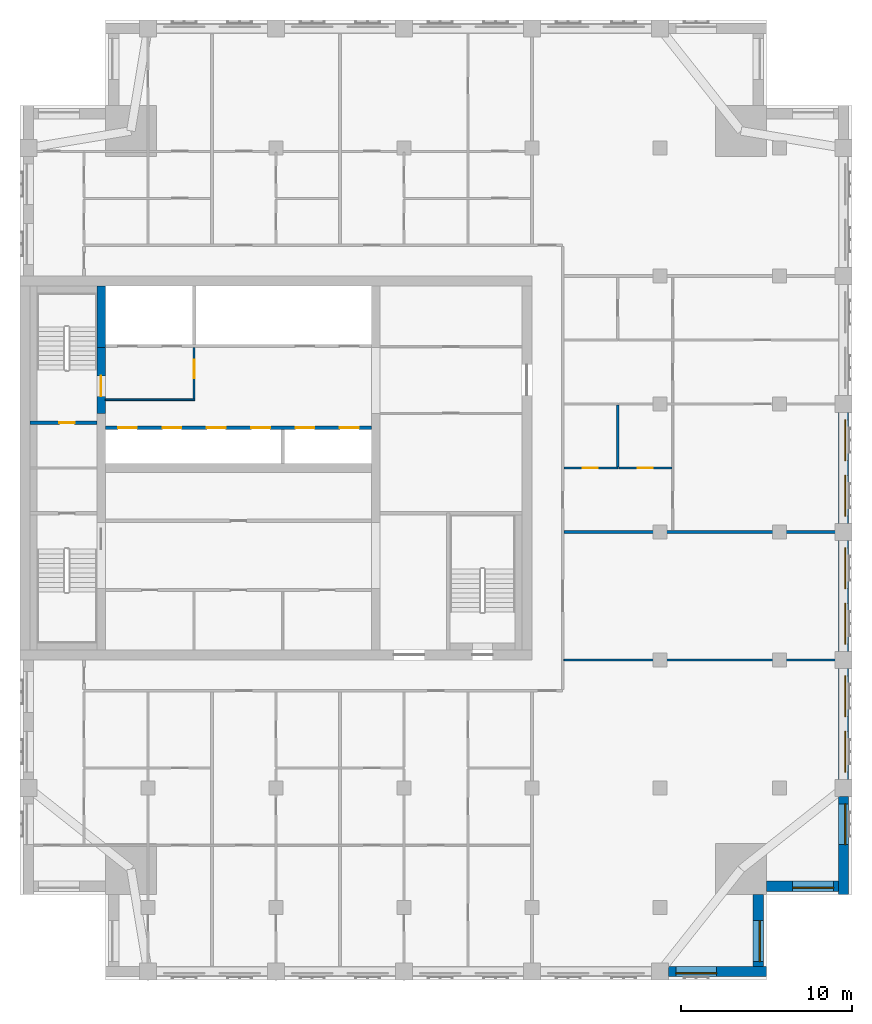
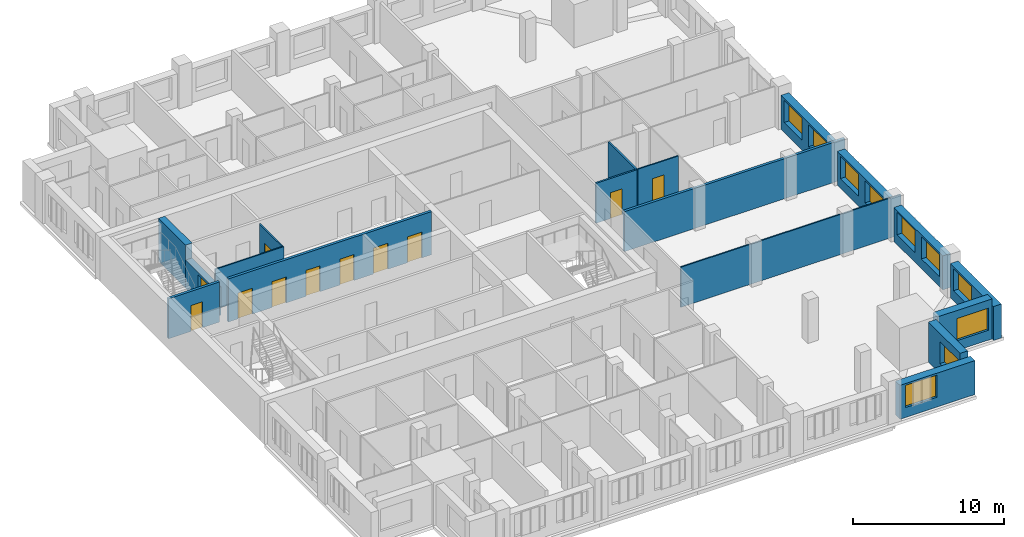
# One storey, part 5 of 10: 18 walls, 11 doors, 10 windows, 21 openings.
"""IFC4 building model written with IfcOpenShell, lengths in metres."""

from ifc_helpers import new_model, si_unit, direction, frame, frame_2d, origin, place, context, subcontext, project, spatial, rectangle, extrude, material, layer, layer_set, type_object, element, fill, save


model = new_model("IFC4")

# Units and contexts
model_context = context("Model", 3, precision=1e-05, world=origin(), true_north=direction((0.0, 1.0)))
body_context = subcontext(model_context, "Body", "Model", "MODEL_VIEW")
ifc_project = project(units=[si_unit("LENGTHUNIT", "METRE"), si_unit("AREAUNIT", "SQUARE_METRE"), si_unit("VOLUMEUNIT", "CUBIC_METRE"), si_unit("PLANEANGLEUNIT", "RADIAN"), si_unit("MASSUNIT", "GRAM", prefix="KILO")], contexts=[model_context])

# Site, building, storey
site_placement = place(None, origin())
site = spatial("IfcSite", under=ifc_project, at=site_placement, CompositionType="ELEMENT")
building_placement = place(site_placement, origin())
building = spatial("IfcBuilding", under=site, at=building_placement, Name="Tamorin Gate", CompositionType="ELEMENT")
storey_placement = place(building_placement, frame((0.0, 0.0, 237.199951171875)))
storey = spatial("IfcBuildingStorey", under=building, at=storey_placement, Name="L59", CompositionType="ELEMENT", Elevation=237.199951171875)

# Wall, opening, window
ifc_material_1 = material(Name="Precast concrete C40/50", Category="concrete")
ifc_layer_1 = layer(ifc_material_1, 0.60009765625)
ifc_layer_set_1 = layer_set([ifc_layer_1], Name="Precast concrete C40/50")
wall_type_1 = type_object("IfcWallType", Name="Board-marked concrete facade panel 600", PredefinedType="SOLIDWALL", material=ifc_layer_set_1)
wall_1_placement = place(storey_placement, frame((68.0, 41.75, 0.0), z_axis=(0.0, 0.0, 1.0), x_axis=(1.0, 0.0, 0.0)))
wall_1 = element("IfcWall", 1, at=wall_1_placement, inside=storey, type_object=wall_type_1, Name="Facade panel", PredefinedType="SOLIDWALL", context=body_context, shape_type="SweptSolid", body=[
    extrude(rectangle(XDim=5.75, YDim=0.60009765625, at=frame_2d((2.875, 0.0))), origin(), (0.0, 0.0, 1.0), 2.75),
])
opening_1_placement = place(wall_1_placement, frame((0.425048828125, 0.0, 0.800048828125)))
opening_1 = element("IfcOpeningElement", 2, at=opening_1_placement, cuts=wall_1, Name="Opening WN1", PredefinedType="OPENING", context=body_context, shape_type="SweptSolid", body=[
    extrude(rectangle(XDim=2.39990234375, YDim=1.800048828125, at=frame_2d((1.199951171875, 0.89990234375))), frame((0.0, 0.31005859375, 0.0), z_axis=(0.0, -1.0, 0.0), x_axis=(1.0, 0.0, 0.0)), (0.0, 0.0, 1.0), 0.6201171875),
])
ifc_material_2 = material(Name="Clear glass in aluminium frame", Category="aluminium")
window_type = type_object("IfcWindowType", Name="Deep-set window 2400x1800", PartitioningType="SINGLE_PANEL", PredefinedType="WINDOW", material=ifc_material_2)
window_1_placement = place(opening_1_placement, origin())
window_1 = element("IfcWindow", 3, at=window_1_placement, inside=storey, type_object=window_type, Name="Deep-set window", OverallHeight=1.800048828125, OverallWidth=2.39990234375, PartitioningType="SINGLE_PANEL", PredefinedType="WINDOW", context=body_context, shape_type="SweptSolid", body=[
    extrude(rectangle(XDim=2.39990234375, YDim=1.800048828125, at=frame_2d((1.199951171875, 0.89990234375))), frame((0.0, -0.070068359375, 0.0), z_axis=(0.0, -1.0, 0.0), x_axis=(1.0, 0.0, 0.0)), (0.0, 0.0, 1.0), 0.06005859375),
])
fill(opening_1, window_1)

wall_2_placement = place(storey_placement, frame((73.25, 42.050048828125, 0.0), z_axis=(0.0, 0.0, 1.0), x_axis=(0.0, 1.0, 0.0)))
wall_2 = element("IfcWall", 4, at=wall_2_placement, inside=storey, type_object=wall_type_1, Name="Facade panel", PredefinedType="SOLIDWALL", context=body_context, shape_type="SweptSolid", body=[
    extrude(rectangle(XDim=4.199951171875, YDim=0.60009765625, at=frame_2d((2.10009765625, 0.0))), origin(), (0.0, 0.0, 1.0), 3.25),
])
opening_2_placement = place(wall_2_placement, frame((0.27490234375, 0.0, 0.800048828125)))
opening_2 = element("IfcOpeningElement", 5, at=opening_2_placement, cuts=wall_2, Name="Opening WN1", PredefinedType="OPENING", context=body_context, shape_type="SweptSolid", body=[
    extrude(rectangle(XDim=2.39990234375, YDim=1.800048828125, at=frame_2d((1.199951171875, 0.89990234375))), frame((0.0, 0.31005859375, 0.0), z_axis=(0.0, -1.0, 0.0), x_axis=(1.0, 0.0, 0.0)), (0.0, 0.0, 1.0), 0.6201171875),
])
window_2_placement = place(opening_2_placement, origin())
window_2 = element("IfcWindow", 6, at=window_2_placement, inside=storey, type_object=window_type, Name="Deep-set window", OverallHeight=1.800048828125, OverallWidth=2.39990234375, PartitioningType="SINGLE_PANEL", PredefinedType="WINDOW", context=body_context, shape_type="SweptSolid", body=[
    extrude(rectangle(XDim=2.39990234375, YDim=1.800048828125, at=frame_2d((1.199951171875, 0.89990234375))), frame((0.0, -0.070068359375, 0.0), z_axis=(0.0, -1.0, 0.0), x_axis=(1.0, 0.0, 0.0)), (0.0, 0.0, 1.0), 0.06005859375),
])
fill(opening_2, window_2)

wall_3_placement = place(storey_placement, frame((73.75, 46.75, 0.0), z_axis=(0.0, 0.0, 1.0), x_axis=(1.0, 0.0, 0.0)))
wall_3 = element("IfcWall", 7, at=wall_3_placement, inside=storey, type_object=wall_type_1, Name="Facade panel", PredefinedType="SOLIDWALL", context=body_context, shape_type="SweptSolid", body=[
    extrude(rectangle(XDim=4.199951171875, YDim=0.60009765625, at=frame_2d((2.10009765625, 0.0))), origin(), (0.0, 0.0, 1.0), 3.25),
])
opening_3_placement = place(wall_3_placement, frame((1.52490234375, 0.0, 0.800048828125)))
opening_3 = element("IfcOpeningElement", 8, at=opening_3_placement, cuts=wall_3, Name="Opening WN1", PredefinedType="OPENING", context=body_context, shape_type="SweptSolid", body=[
    extrude(rectangle(XDim=2.39990234375, YDim=1.800048828125, at=frame_2d((1.199951171875, 0.89990234375))), frame((0.0, 0.31005859375, 0.0), z_axis=(0.0, -1.0, 0.0), x_axis=(1.0, 0.0, 0.0)), (0.0, 0.0, 1.0), 0.6201171875),
])
window_3_placement = place(opening_3_placement, origin())
window_3 = element("IfcWindow", 9, at=window_3_placement, inside=storey, type_object=window_type, Name="Deep-set window", OverallHeight=1.800048828125, OverallWidth=2.39990234375, PartitioningType="SINGLE_PANEL", PredefinedType="WINDOW", context=body_context, shape_type="SweptSolid", body=[
    extrude(rectangle(XDim=2.39990234375, YDim=1.800048828125, at=frame_2d((1.199951171875, 0.89990234375))), frame((0.0, -0.070068359375, 0.0), z_axis=(0.0, -1.0, 0.0), x_axis=(1.0, 0.0, 0.0)), (0.0, 0.0, 1.0), 0.06005859375),
])
fill(opening_3, window_3)

wall_4_placement = place(storey_placement, frame((78.25, 46.25, 0.0), z_axis=(0.0, 0.0, 1.0), x_axis=(0.0, 1.0, 0.0)))
wall_4 = element("IfcWall", 10, at=wall_4_placement, inside=storey, type_object=wall_type_1, Name="Facade panel", PredefinedType="SOLIDWALL", context=body_context, shape_type="SweptSolid", body=[
    extrude(rectangle(XDim=5.75, YDim=0.60009765625, at=frame_2d((2.875, 0.0))), origin(), (0.0, 0.0, 1.0), 2.75),
])
opening_4_placement = place(wall_4_placement, frame((2.925048828125, 0.0, 0.800048828125)))
opening_4 = element("IfcOpeningElement", 11, at=opening_4_placement, cuts=wall_4, Name="Opening WN1", PredefinedType="OPENING", context=body_context, shape_type="SweptSolid", body=[
    extrude(rectangle(XDim=2.39990234375, YDim=1.800048828125, at=frame_2d((1.199951171875, 0.89990234375))), frame((0.0, 0.31005859375, 0.0), z_axis=(0.0, -1.0, 0.0), x_axis=(1.0, 0.0, 0.0)), (0.0, 0.0, 1.0), 0.6201171875),
])
window_4_placement = place(opening_4_placement, origin())
window_4 = element("IfcWindow", 12, at=window_4_placement, inside=storey, type_object=window_type, Name="Deep-set window", OverallHeight=1.800048828125, OverallWidth=2.39990234375, PartitioningType="SINGLE_PANEL", PredefinedType="WINDOW", context=body_context, shape_type="SweptSolid", body=[
    extrude(rectangle(XDim=2.39990234375, YDim=1.800048828125, at=frame_2d((1.199951171875, 0.89990234375))), frame((0.0, -0.070068359375, 0.0), z_axis=(0.0, -1.0, 0.0), x_axis=(1.0, 0.0, 0.0)), (0.0, 0.0, 1.0), 0.06005859375),
])
fill(opening_4, window_4)

# Wall, openings, windows
wall_5_placement = place(storey_placement, frame((78.25, 53.0, 0.0), z_axis=(0.0, 0.0, 1.0), x_axis=(0.0, 1.0, 0.0)))
wall_5 = element("IfcWall", 13, at=wall_5_placement, inside=storey, type_object=wall_type_1, Name="Facade panel", PredefinedType="SOLIDWALL", context=body_context, shape_type="SweptSolid", body=[
    extrude(rectangle(XDim=6.5, YDim=0.60009765625, at=frame_2d((3.25, 0.0))), origin(), (0.0, 0.0, 1.0), 2.75),
])
opening_5_placement = place(wall_5_placement, frame((0.425048828125, 0.0, 0.800048828125)))
opening_5 = element("IfcOpeningElement", 14, at=opening_5_placement, cuts=wall_5, Name="Opening WN1", PredefinedType="OPENING", context=body_context, shape_type="SweptSolid", body=[
    extrude(rectangle(XDim=2.39990234375, YDim=1.800048828125, at=frame_2d((1.199951171875, 0.89990234375))), frame((0.0, 0.31005859375, 0.0), z_axis=(0.0, -1.0, 0.0), x_axis=(1.0, 0.0, 0.0)), (0.0, 0.0, 1.0), 0.6201171875),
])
opening_6_placement = place(wall_5_placement, frame((3.675048828125, 0.0, 0.800048828125)))
opening_6 = element("IfcOpeningElement", 15, at=opening_6_placement, cuts=wall_5, Name="Opening WN1", PredefinedType="OPENING", context=body_context, shape_type="SweptSolid", body=[
    extrude(rectangle(XDim=2.39990234375, YDim=1.800048828125, at=frame_2d((1.199951171875, 0.89990234375))), frame((0.0, 0.31005859375, 0.0), z_axis=(0.0, -1.0, 0.0), x_axis=(1.0, 0.0, 0.0)), (0.0, 0.0, 1.0), 0.6201171875),
])
window_5_placement = place(opening_5_placement, origin())
window_5 = element("IfcWindow", 16, at=window_5_placement, inside=storey, type_object=window_type, Name="Deep-set window", OverallHeight=1.800048828125, OverallWidth=2.39990234375, PartitioningType="SINGLE_PANEL", PredefinedType="WINDOW", context=body_context, shape_type="SweptSolid", body=[
    extrude(rectangle(XDim=2.39990234375, YDim=1.800048828125, at=frame_2d((1.199951171875, 0.89990234375))), frame((0.0, -0.070068359375, 0.0), z_axis=(0.0, -1.0, 0.0), x_axis=(1.0, 0.0, 0.0)), (0.0, 0.0, 1.0), 0.06005859375),
])
fill(opening_5, window_5)
window_6_placement = place(opening_6_placement, origin())
window_6 = element("IfcWindow", 17, at=window_6_placement, inside=storey, type_object=window_type, Name="Deep-set window", OverallHeight=1.800048828125, OverallWidth=2.39990234375, PartitioningType="SINGLE_PANEL", PredefinedType="WINDOW", context=body_context, shape_type="SweptSolid", body=[
    extrude(rectangle(XDim=2.39990234375, YDim=1.800048828125, at=frame_2d((1.199951171875, 0.89990234375))), frame((0.0, -0.070068359375, 0.0), z_axis=(0.0, -1.0, 0.0), x_axis=(1.0, 0.0, 0.0)), (0.0, 0.0, 1.0), 0.06005859375),
])
fill(opening_6, window_6)

wall_6_placement = place(storey_placement, frame((78.25, 60.5, 0.0), z_axis=(0.0, 0.0, 1.0), x_axis=(0.0, 1.0, 0.0)))
wall_6 = element("IfcWall", 18, at=wall_6_placement, inside=storey, type_object=wall_type_1, Name="Facade panel", PredefinedType="SOLIDWALL", context=body_context, shape_type="SweptSolid", body=[
    extrude(rectangle(XDim=6.5, YDim=0.60009765625, at=frame_2d((3.25, 0.0))), origin(), (0.0, 0.0, 1.0), 2.75),
])
opening_7_placement = place(wall_6_placement, frame((0.425048828125, 0.0, 0.800048828125)))
opening_7 = element("IfcOpeningElement", 19, at=opening_7_placement, cuts=wall_6, Name="Opening WN1", PredefinedType="OPENING", context=body_context, shape_type="SweptSolid", body=[
    extrude(rectangle(XDim=2.39990234375, YDim=1.800048828125, at=frame_2d((1.199951171875, 0.89990234375))), frame((0.0, 0.31005859375, 0.0), z_axis=(0.0, -1.0, 0.0), x_axis=(1.0, 0.0, 0.0)), (0.0, 0.0, 1.0), 0.6201171875),
])
opening_8_placement = place(wall_6_placement, frame((3.675048828125, 0.0, 0.800048828125)))
opening_8 = element("IfcOpeningElement", 20, at=opening_8_placement, cuts=wall_6, Name="Opening WN1", PredefinedType="OPENING", context=body_context, shape_type="SweptSolid", body=[
    extrude(rectangle(XDim=2.39990234375, YDim=1.800048828125, at=frame_2d((1.199951171875, 0.89990234375))), frame((0.0, 0.31005859375, 0.0), z_axis=(0.0, -1.0, 0.0), x_axis=(1.0, 0.0, 0.0)), (0.0, 0.0, 1.0), 0.6201171875),
])
window_7_placement = place(opening_7_placement, origin())
window_7 = element("IfcWindow", 21, at=window_7_placement, inside=storey, type_object=window_type, Name="Deep-set window", OverallHeight=1.800048828125, OverallWidth=2.39990234375, PartitioningType="SINGLE_PANEL", PredefinedType="WINDOW", context=body_context, shape_type="SweptSolid", body=[
    extrude(rectangle(XDim=2.39990234375, YDim=1.800048828125, at=frame_2d((1.199951171875, 0.89990234375))), frame((0.0, -0.070068359375, 0.0), z_axis=(0.0, -1.0, 0.0), x_axis=(1.0, 0.0, 0.0)), (0.0, 0.0, 1.0), 0.06005859375),
])
fill(opening_7, window_7)
window_8_placement = place(opening_8_placement, origin())
window_8 = element("IfcWindow", 22, at=window_8_placement, inside=storey, type_object=window_type, Name="Deep-set window", OverallHeight=1.800048828125, OverallWidth=2.39990234375, PartitioningType="SINGLE_PANEL", PredefinedType="WINDOW", context=body_context, shape_type="SweptSolid", body=[
    extrude(rectangle(XDim=2.39990234375, YDim=1.800048828125, at=frame_2d((1.199951171875, 0.89990234375))), frame((0.0, -0.070068359375, 0.0), z_axis=(0.0, -1.0, 0.0), x_axis=(1.0, 0.0, 0.0)), (0.0, 0.0, 1.0), 0.06005859375),
])
fill(opening_8, window_8)

wall_7_placement = place(storey_placement, frame((78.25, 68.0, 0.0), z_axis=(0.0, 0.0, 1.0), x_axis=(0.0, 1.0, 0.0)))
wall_7 = element("IfcWall", 23, at=wall_7_placement, inside=storey, type_object=wall_type_1, Name="Facade panel", PredefinedType="SOLIDWALL", context=body_context, shape_type="SweptSolid", body=[
    extrude(rectangle(XDim=6.5, YDim=0.60009765625, at=frame_2d((3.25, 0.0))), origin(), (0.0, 0.0, 1.0), 2.75),
])
opening_9_placement = place(wall_7_placement, frame((0.425048828125, 0.0, 0.800048828125)))
opening_9 = element("IfcOpeningElement", 24, at=opening_9_placement, cuts=wall_7, Name="Opening WN1", PredefinedType="OPENING", context=body_context, shape_type="SweptSolid", body=[
    extrude(rectangle(XDim=2.39990234375, YDim=1.800048828125, at=frame_2d((1.199951171875, 0.89990234375))), frame((0.0, 0.31005859375, 0.0), z_axis=(0.0, -1.0, 0.0), x_axis=(1.0, 0.0, 0.0)), (0.0, 0.0, 1.0), 0.6201171875),
])
opening_10_placement = place(wall_7_placement, frame((3.675048828125, 0.0, 0.800048828125)))
opening_10 = element("IfcOpeningElement", 25, at=opening_10_placement, cuts=wall_7, Name="Opening WN1", PredefinedType="OPENING", context=body_context, shape_type="SweptSolid", body=[
    extrude(rectangle(XDim=2.39990234375, YDim=1.800048828125, at=frame_2d((1.199951171875, 0.89990234375))), frame((0.0, 0.31005859375, 0.0), z_axis=(0.0, -1.0, 0.0), x_axis=(1.0, 0.0, 0.0)), (0.0, 0.0, 1.0), 0.6201171875),
])
window_9_placement = place(opening_9_placement, origin())
window_9 = element("IfcWindow", 26, at=window_9_placement, inside=storey, type_object=window_type, Name="Deep-set window", OverallHeight=1.800048828125, OverallWidth=2.39990234375, PartitioningType="SINGLE_PANEL", PredefinedType="WINDOW", context=body_context, shape_type="SweptSolid", body=[
    extrude(rectangle(XDim=2.39990234375, YDim=1.800048828125, at=frame_2d((1.199951171875, 0.89990234375))), frame((0.0, -0.070068359375, 0.0), z_axis=(0.0, -1.0, 0.0), x_axis=(1.0, 0.0, 0.0)), (0.0, 0.0, 1.0), 0.06005859375),
])
fill(opening_9, window_9)
window_10_placement = place(opening_10_placement, origin())
window_10 = element("IfcWindow", 27, at=window_10_placement, inside=storey, type_object=window_type, Name="Deep-set window", OverallHeight=1.800048828125, OverallWidth=2.39990234375, PartitioningType="SINGLE_PANEL", PredefinedType="WINDOW", context=body_context, shape_type="SweptSolid", body=[
    extrude(rectangle(XDim=2.39990234375, YDim=1.800048828125, at=frame_2d((1.199951171875, 0.89990234375))), frame((0.0, -0.070068359375, 0.0), z_axis=(0.0, -1.0, 0.0), x_axis=(1.0, 0.0, 0.0)), (0.0, 0.0, 1.0), 0.06005859375),
])
fill(opening_10, window_10)

# Wall
ifc_material_3 = material(Name="Gypsum board partition")
ifc_layer_2 = layer(ifc_material_3, 0.199951171875)
ifc_layer_set_2 = layer_set([ifc_layer_2], Name="Demising wall 200")
wall_type_2 = type_object("IfcWallType", Name="Demising wall 200", PredefinedType="PARTITIONING", material=ifc_layer_set_2)
wall_8_placement = place(storey_placement, frame((61.875, 67.5, 0.0), z_axis=(0.0, 0.0, 1.0), x_axis=(1.0, 0.0, 0.0)))
element("IfcWall", 28, at=wall_8_placement, inside=storey, type_object=wall_type_2, Name="Demising wall 200", PredefinedType="PARTITIONING", context=body_context, shape_type="SweptSolid", body=[
    extrude(rectangle(XDim=16.875, YDim=0.199951171875, at=frame_2d((8.4375, 0.0))), origin(), (0.0, 0.0, 1.0), 3.25),
])

# Wall, openings, doors
ifc_material_4 = material(Name="Concrete C32/40", Category="concrete")
ifc_layer_3 = layer(ifc_material_4, 0.199951171875)
ifc_layer_set_3 = layer_set([ifc_layer_3], Name="Lift lobby face wall 200 EI 120")
wall_type_3 = type_object("IfcWallType", Name="Lift lobby face wall 200 EI 120", PredefinedType="SOLIDWALL", material=ifc_layer_set_3)
wall_9_placement = place(storey_placement, frame((35.0, 73.60009765625, 0.0), z_axis=(0.0, 0.0, 1.0), x_axis=(1.0, 0.0, 0.0)))
wall_9 = element("IfcWall", 29, at=wall_9_placement, inside=storey, type_object=wall_type_3, Name="Lift lobby face wall", PredefinedType="SOLIDWALL", context=body_context, shape_type="SweptSolid", body=[
    extrude(rectangle(XDim=15.60009765625, YDim=0.199951171875, at=frame_2d((7.800048828125, 0.0))), origin(), (0.0, 0.0, 1.0), 3.5),
])
opening_11_placement = place(wall_9_placement, frame((0.75, 0.0, 0.0)))
opening_11 = element("IfcOpeningElement", 30, at=opening_11_placement, cuts=wall_9, Name="Opening LD11", PredefinedType="OPENING", context=body_context, shape_type="SweptSolid", body=[
    extrude(rectangle(XDim=1.10009765625, YDim=2.10009765625, at=frame_2d((0.550048828125, 1.050048828125))), frame((0.0, 0.10986328125, 0.0), z_axis=(0.0, -1.0, 0.0), x_axis=(1.0, 0.0, 0.0)), (0.0, 0.0, 1.0), 0.219970703125),
])
opening_12_placement = place(wall_9_placement, frame((3.35009765625, 0.0, 0.0)))
opening_12 = element("IfcOpeningElement", 31, at=opening_12_placement, cuts=wall_9, Name="Opening LD12", PredefinedType="OPENING", context=body_context, shape_type="SweptSolid", body=[
    extrude(rectangle(XDim=1.10009765625, YDim=2.10009765625, at=frame_2d((0.550048828125, 1.050048828125))), frame((0.0, 0.10986328125, 0.0), z_axis=(0.0, -1.0, 0.0), x_axis=(1.0, 0.0, 0.0)), (0.0, 0.0, 1.0), 0.219970703125),
])
opening_13_placement = place(wall_9_placement, frame((5.949951171875, 0.0, 0.0)))
opening_13 = element("IfcOpeningElement", 32, at=opening_13_placement, cuts=wall_9, Name="Opening LD13", PredefinedType="OPENING", context=body_context, shape_type="SweptSolid", body=[
    extrude(rectangle(XDim=1.10009765625, YDim=2.10009765625, at=frame_2d((0.550048828125, 1.050048828125))), frame((0.0, 0.10986328125, 0.0), z_axis=(0.0, -1.0, 0.0), x_axis=(1.0, 0.0, 0.0)), (0.0, 0.0, 1.0), 0.219970703125),
])
opening_14_placement = place(wall_9_placement, frame((8.550048828125, 0.0, 0.0)))
opening_14 = element("IfcOpeningElement", 33, at=opening_14_placement, cuts=wall_9, Name="Opening LD14", PredefinedType="OPENING", context=body_context, shape_type="SweptSolid", body=[
    extrude(rectangle(XDim=1.10009765625, YDim=2.10009765625, at=frame_2d((0.550048828125, 1.050048828125))), frame((0.0, 0.10986328125, 0.0), z_axis=(0.0, -1.0, 0.0), x_axis=(1.0, 0.0, 0.0)), (0.0, 0.0, 1.0), 0.219970703125),
])
opening_15_placement = place(wall_9_placement, frame((11.14990234375, 0.0, 0.0)))
opening_15 = element("IfcOpeningElement", 34, at=opening_15_placement, cuts=wall_9, Name="Opening LD15", PredefinedType="OPENING", context=body_context, shape_type="SweptSolid", body=[
    extrude(rectangle(XDim=1.10009765625, YDim=2.10009765625, at=frame_2d((0.550048828125, 1.050048828125))), frame((0.0, 0.10986328125, 0.0), z_axis=(0.0, -1.0, 0.0), x_axis=(1.0, 0.0, 0.0)), (0.0, 0.0, 1.0), 0.219970703125),
])
opening_16_placement = place(wall_9_placement, frame((13.75, 0.0, 0.0)))
opening_16 = element("IfcOpeningElement", 35, at=opening_16_placement, cuts=wall_9, Name="Opening LD16", PredefinedType="OPENING", context=body_context, shape_type="SweptSolid", body=[
    extrude(rectangle(XDim=1.10009765625, YDim=2.10009765625, at=frame_2d((0.550048828125, 1.050048828125))), frame((0.0, 0.10986328125, 0.0), z_axis=(0.0, -1.0, 0.0), x_axis=(1.0, 0.0, 0.0)), (0.0, 0.0, 1.0), 0.219970703125),
])
ifc_material_5 = material(Name="Stainless steel sliding door", Category="steel")
door_type_1 = type_object("IfcDoorType", Name="Lift landing door 1100 x 2100 E 90", OperationType="DOUBLE_DOOR_SLIDING", PredefinedType="DOOR", material=ifc_material_5)
door_1_placement = place(opening_11_placement, origin())
door_1 = element("IfcDoor", 36, at=door_1_placement, inside=storey, type_object=door_type_1, Name="HR1 landing door", OperationType="DOUBLE_DOOR_SLIDING", OverallHeight=2.10009765625, OverallWidth=1.10009765625, PredefinedType="DOOR", context=body_context, shape_type="SweptSolid", body=[
    extrude(rectangle(XDim=1.10009765625, YDim=2.10009765625, at=frame_2d((0.550048828125, 1.050048828125))), frame((0.0, 0.02490234375, 0.0), z_axis=(0.0, -1.0, 0.0), x_axis=(1.0, 0.0, 0.0)), (0.0, 0.0, 1.0), 0.050048828125),
])
fill(opening_11, door_1)
door_2_placement = place(opening_12_placement, origin())
door_2 = element("IfcDoor", 37, at=door_2_placement, inside=storey, type_object=door_type_1, Name="HR2 landing door", OperationType="DOUBLE_DOOR_SLIDING", OverallHeight=2.10009765625, OverallWidth=1.10009765625, PredefinedType="DOOR", context=body_context, shape_type="SweptSolid", body=[
    extrude(rectangle(XDim=1.10009765625, YDim=2.10009765625, at=frame_2d((0.550048828125, 1.050048828125))), frame((0.0, 0.02490234375, 0.0), z_axis=(0.0, -1.0, 0.0), x_axis=(1.0, 0.0, 0.0)), (0.0, 0.0, 1.0), 0.050048828125),
])
fill(opening_12, door_2)
door_3_placement = place(opening_13_placement, origin())
door_3 = element("IfcDoor", 38, at=door_3_placement, inside=storey, type_object=door_type_1, Name="HR3 landing door", OperationType="DOUBLE_DOOR_SLIDING", OverallHeight=2.10009765625, OverallWidth=1.10009765625, PredefinedType="DOOR", context=body_context, shape_type="SweptSolid", body=[
    extrude(rectangle(XDim=1.10009765625, YDim=2.10009765625, at=frame_2d((0.550048828125, 1.050048828125))), frame((0.0, 0.02490234375, 0.0), z_axis=(0.0, -1.0, 0.0), x_axis=(1.0, 0.0, 0.0)), (0.0, 0.0, 1.0), 0.050048828125),
])
fill(opening_13, door_3)
door_4_placement = place(opening_14_placement, origin())
door_4 = element("IfcDoor", 39, at=door_4_placement, inside=storey, type_object=door_type_1, Name="HR4 landing door", OperationType="DOUBLE_DOOR_SLIDING", OverallHeight=2.10009765625, OverallWidth=1.10009765625, PredefinedType="DOOR", context=body_context, shape_type="SweptSolid", body=[
    extrude(rectangle(XDim=1.10009765625, YDim=2.10009765625, at=frame_2d((0.550048828125, 1.050048828125))), frame((0.0, 0.02490234375, 0.0), z_axis=(0.0, -1.0, 0.0), x_axis=(1.0, 0.0, 0.0)), (0.0, 0.0, 1.0), 0.050048828125),
])
fill(opening_14, door_4)
door_5_placement = place(opening_15_placement, origin())
door_5 = element("IfcDoor", 40, at=door_5_placement, inside=storey, type_object=door_type_1, Name="HR5 landing door", OperationType="DOUBLE_DOOR_SLIDING", OverallHeight=2.10009765625, OverallWidth=1.10009765625, PredefinedType="DOOR", context=body_context, shape_type="SweptSolid", body=[
    extrude(rectangle(XDim=1.10009765625, YDim=2.10009765625, at=frame_2d((0.550048828125, 1.050048828125))), frame((0.0, 0.02490234375, 0.0), z_axis=(0.0, -1.0, 0.0), x_axis=(1.0, 0.0, 0.0)), (0.0, 0.0, 1.0), 0.050048828125),
])
fill(opening_15, door_5)
door_6_placement = place(opening_16_placement, origin())
door_6 = element("IfcDoor", 41, at=door_6_placement, inside=storey, type_object=door_type_1, Name="HR6 landing door", OperationType="DOUBLE_DOOR_SLIDING", OverallHeight=2.10009765625, OverallWidth=1.10009765625, PredefinedType="DOOR", context=body_context, shape_type="SweptSolid", body=[
    extrude(rectangle(XDim=1.10009765625, YDim=2.10009765625, at=frame_2d((0.550048828125, 1.050048828125))), frame((0.0, 0.02490234375, 0.0), z_axis=(0.0, -1.0, 0.0), x_axis=(1.0, 0.0, 0.0)), (0.0, 0.0, 1.0), 0.050048828125),
])
fill(opening_16, door_6)

# Wall
ifc_material_6 = material(Name="Fire-rated gypsum board partition")
ifc_layer_4 = layer(ifc_material_6, 0.10009765625)
ifc_layer_set_4 = layer_set([ifc_layer_4], Name="Lobby wall 100 EI 60")
wall_type_4 = type_object("IfcWallType", Name="Lobby wall 100 EI 60", PredefinedType="PARTITIONING", material=ifc_layer_set_4)
wall_10_placement = place(storey_placement, frame((35.0, 75.25, 0.0), z_axis=(0.0, 0.0, 1.0), x_axis=(1.0, 0.0, 0.0)))
element("IfcWall", 42, at=wall_10_placement, inside=storey, type_object=wall_type_4, Name="Firefighting lobby wall", PredefinedType="PARTITIONING", context=body_context, shape_type="SweptSolid", body=[
    extrude(rectangle(XDim=5.25, YDim=0.10009765625, at=frame_2d((2.625, 0.0))), origin(), (0.0, 0.0, 1.0), 3.25),
])

# Wall, opening, door
wall_11_placement = place(storey_placement, frame((40.199951171875, 75.300048828125, 0.0), z_axis=(0.0, 0.0, 1.0), x_axis=(0.0, 1.0, 0.0)))
wall_11 = element("IfcWall", 43, at=wall_11_placement, inside=storey, type_object=wall_type_4, Name="Firefighting lobby wall", PredefinedType="PARTITIONING", context=body_context, shape_type="SweptSolid", body=[
    extrude(rectangle(XDim=3.0, YDim=0.10009765625, at=frame_2d((1.5, 0.0))), origin(), (0.0, 0.0, 1.0), 3.25),
])
opening_17_placement = place(wall_11_placement, frame((1.199951171875, 0.0, 0.0)))
opening_17 = element("IfcOpeningElement", 44, at=opening_17_placement, cuts=wall_11, Name="Opening DF1", PredefinedType="OPENING", context=body_context, shape_type="SweptSolid", body=[
    extrude(rectangle(XDim=1.10009765625, YDim=2.10009765625, at=frame_2d((0.550048828125, 1.050048828125))), frame((0.0, 0.06005859375, 0.0), z_axis=(0.0, -1.0, 0.0), x_axis=(1.0, 0.0, 0.0)), (0.0, 0.0, 1.0), 0.1201171875),
])
ifc_material_7 = material(Name="Steel fire door", Category="steel")
door_type_2 = type_object("IfcDoorType", Name="Firefighting lobby door 1100 x 2100 EI 90", OperationType="SINGLE_SWING_LEFT", PredefinedType="DOOR", material=ifc_material_7)
door_7_placement = place(opening_17_placement, origin())
door_7 = element("IfcDoor", 45, at=door_7_placement, inside=storey, type_object=door_type_2, Name="Firefighting lobby door", OperationType="SINGLE_SWING_LEFT", OverallHeight=2.10009765625, OverallWidth=1.10009765625, PredefinedType="DOOR", context=body_context, shape_type="SweptSolid", body=[
    extrude(rectangle(XDim=1.10009765625, YDim=2.10009765625, at=frame_2d((0.550048828125, 1.050048828125))), frame((0.0, 0.02490234375, 0.0), z_axis=(0.0, -1.0, 0.0), x_axis=(1.0, 0.0, 0.0)), (0.0, 0.0, 1.0), 0.050048828125),
])
fill(opening_17, door_7)

# Walls
ifc_material_8 = material(Name="Concrete C50/60", Category="concrete")
ifc_layer_5 = layer(ifc_material_8, 0.5)
ifc_layer_set_5 = layer_set([ifc_layer_5], Name="RC core internal wall 500 C50/60")
wall_type_5 = type_object("IfcWallType", Name="RC core internal wall 500 C50/60", PredefinedType="SHEAR", material=ifc_layer_set_5)
wall_12_placement = place(storey_placement, frame((34.75, 78.300048828125, 0.0), z_axis=(0.0, 0.0, 1.0), x_axis=(0.0, 1.0, 0.0)))
element("IfcWall", 46, at=wall_12_placement, inside=storey, type_object=wall_type_5, Name="Core cross wall L59", PredefinedType="SHEAR", context=body_context, shape_type="SweptSolid", body=[
    extrude(rectangle(XDim=3.599853515625, YDim=0.5, at=frame_2d((1.7998046875, 0.0))), origin(), (0.0, 0.0, 1.0), 3.5),
])
ifc_layer_6 = layer(ifc_material_3, 0.10009765625)
ifc_layer_set_6 = layer_set([ifc_layer_6], Name="Room partition 100")
wall_type_6 = type_object("IfcWallType", Name="Room partition 100", PredefinedType="PARTITIONING", material=ifc_layer_set_6)
wall_13_placement = place(storey_placement, frame((61.875, 60.0, 0.0), z_axis=(0.0, 0.0, 1.0), x_axis=(1.0, 0.0, 0.0)))
element("IfcWall", 47, at=wall_13_placement, inside=storey, type_object=wall_type_6, Name="Room partition 100", PredefinedType="PARTITIONING", context=body_context, shape_type="SweptSolid", body=[
    extrude(rectangle(XDim=16.875, YDim=0.10009765625, at=frame_2d((8.4375, 0.0))), origin(), (0.0, 0.0, 1.0), 3.25),
])

# Wall, opening, door
wall_14_placement = place(storey_placement, frame((65.08740234375, 71.25, 0.0), z_axis=(0.0, 0.0, 1.0), x_axis=(1.0, 0.0, 0.0)))
wall_14 = element("IfcWall", 48, at=wall_14_placement, inside=storey, type_object=wall_type_6, Name="Room partition 100", PredefinedType="PARTITIONING", context=body_context, shape_type="SweptSolid", body=[
    extrude(rectangle(XDim=3.112548828125, YDim=0.10009765625, at=frame_2d((1.55615234375, 0.0))), origin(), (0.0, 0.0, 1.0), 3.25),
])
opening_18_placement = place(wall_14_placement, frame((1.10009765625, 0.0, 0.0)))
opening_18 = element("IfcOpeningElement", 49, at=opening_18_placement, cuts=wall_14, Name="Opening DR5044", PredefinedType="OPENING", context=body_context, shape_type="SweptSolid", body=[
    extrude(rectangle(XDim=0.89990234375, YDim=2.10009765625, at=frame_2d((0.449951171875, 1.050048828125))), frame((0.0, 0.06005859375, 0.0), z_axis=(0.0, -1.0, 0.0), x_axis=(1.0, 0.0, 0.0)), (0.0, 0.0, 1.0), 0.1201171875),
])
ifc_material_9 = material(Name="Timber door leaf", Category="wood")
door_type_3 = type_object("IfcDoorType", Name="Door 900 x 2100", OperationType="NOTDEFINED", PredefinedType="DOOR", material=ifc_material_9)
door_8_placement = place(opening_18_placement, origin())
door_8 = element("IfcDoor", 50, at=door_8_placement, inside=storey, type_object=door_type_3, Name="Door DR5044", OperationType="SINGLE_SWING_RIGHT", OverallHeight=2.10009765625, OverallWidth=0.89990234375, PredefinedType="DOOR", context=body_context, shape_type="SweptSolid", body=[
    extrude(rectangle(XDim=0.89990234375, YDim=2.10009765625, at=frame_2d((0.449951171875, 1.050048828125))), frame((0.0, 0.02490234375, 0.0), z_axis=(0.0, -1.0, 0.0), x_axis=(1.0, 0.0, 0.0)), (0.0, 0.0, 1.0), 0.050048828125),
])
fill(opening_18, door_8)

ifc_material_10 = material(Name="Concrete C40/50", Category="concrete")
ifc_layer_7 = layer(ifc_material_10, 0.199951171875)
ifc_layer_set_7 = layer_set([ifc_layer_7], Name="Stair enclosure wall 200 EI 120 C40/50")
wall_type_7 = type_object("IfcWallType", Name="Stair enclosure wall 200 EI 120 C40/50", PredefinedType="SOLIDWALL", material=ifc_layer_set_7)
wall_15_placement = place(storey_placement, frame((30.60009765625, 73.89990234375, 0.0), z_axis=(0.0, 0.0, 1.0), x_axis=(1.0, 0.0, 0.0)))
wall_15 = element("IfcWall", 51, at=wall_15_placement, inside=storey, type_object=wall_type_7, Name="Stair enclosure wall", PredefinedType="SOLIDWALL", context=body_context, shape_type="SweptSolid", body=[
    extrude(rectangle(XDim=3.89990234375, YDim=0.199951171875, at=frame_2d((1.949951171875, 0.0))), origin(), (0.0, 0.0, 1.0), 3.25),
])
opening_19_placement = place(wall_15_placement, frame((1.699951171875, 0.0, 0.0)))
opening_19 = element("IfcOpeningElement", 52, at=opening_19_placement, cuts=wall_15, Name="Opening DR1", PredefinedType="OPENING", context=body_context, shape_type="SweptSolid", body=[
    extrude(rectangle(XDim=0.89990234375, YDim=2.10009765625, at=frame_2d((0.449951171875, 1.050048828125))), frame((0.0, 0.10986328125, 0.0), z_axis=(0.0, -1.0, 0.0), x_axis=(1.0, 0.0, 0.0)), (0.0, 0.0, 1.0), 0.219970703125),
])
door_type_4 = type_object("IfcDoorType", Name="Riser access door 900 x 2100 EI 120", OperationType="SINGLE_SWING_LEFT", PredefinedType="DOOR", material=ifc_material_7)
door_9_placement = place(opening_19_placement, origin())
door_9 = element("IfcDoor", 53, at=door_9_placement, inside=storey, type_object=door_type_4, Name="Communications riser door", OperationType="SINGLE_SWING_RIGHT", OverallHeight=2.10009765625, OverallWidth=0.89990234375, PredefinedType="DOOR", context=body_context, shape_type="SweptSolid", body=[
    extrude(rectangle(XDim=0.89990234375, YDim=2.10009765625, at=frame_2d((0.449951171875, 1.050048828125))), frame((0.0, 0.02490234375, 0.0), z_axis=(0.0, -1.0, 0.0), x_axis=(1.0, 0.0, 0.0)), (0.0, 0.0, 1.0), 0.050048828125),
])
fill(opening_19, door_9)

ifc_layer_8 = layer(ifc_material_4, 0.5)
ifc_layer_set_8 = layer_set([ifc_layer_8], Name="Stair lobby infill wall 500 EI 120")
wall_type_8 = type_object("IfcWallType", Name="Stair lobby infill wall 500 EI 120", PredefinedType="SOLIDWALL", material=ifc_layer_set_8)
wall_16_placement = place(storey_placement, frame((34.75, 74.449951171875, 0.0), z_axis=(0.0, 0.0, 1.0), x_axis=(0.0, 1.0, 0.0)))
wall_16 = element("IfcWall", 54, at=wall_16_placement, inside=storey, type_object=wall_type_8, Name="Stair lobby infill wall", PredefinedType="SOLIDWALL", context=body_context, shape_type="SweptSolid", body=[
    extrude(rectangle(XDim=3.85009765625, YDim=0.5, at=frame_2d((1.925048828125, 0.0))), origin(), (0.0, 0.0, 1.0), 2.300048828125),
])
opening_20_placement = place(wall_16_placement, frame((1.0, 0.0, 0.0)))
opening_20 = element("IfcOpeningElement", 55, at=opening_20_placement, cuts=wall_16, Name="Opening DS1", PredefinedType="OPENING", context=body_context, shape_type="SweptSolid", body=[
    extrude(rectangle(XDim=1.199951171875, YDim=2.10009765625, at=frame_2d((0.60009765625, 1.050048828125))), frame((0.0, 0.260009765625, 0.0), z_axis=(0.0, -1.0, 0.0), x_axis=(1.0, 0.0, 0.0)), (0.0, 0.0, 1.0), 0.52001953125),
])
door_type_5 = type_object("IfcDoorType", Name="Stair door 1200 x 2100 EI 90", OperationType="SINGLE_SWING_LEFT", PredefinedType="DOOR", material=ifc_material_7)
door_10_placement = place(opening_20_placement, origin())
door_10 = element("IfcDoor", 56, at=door_10_placement, inside=storey, type_object=door_type_5, Name="ST2 door", OperationType="SINGLE_SWING_RIGHT", OverallHeight=2.10009765625, OverallWidth=1.199951171875, PredefinedType="DOOR", context=body_context, shape_type="SweptSolid", body=[
    extrude(rectangle(XDim=1.199951171875, YDim=2.10009765625, at=frame_2d((0.60009765625, 1.050048828125))), frame((0.0, 0.02490234375, 0.0), z_axis=(0.0, -1.0, 0.0), x_axis=(1.0, 0.0, 0.0)), (0.0, 0.0, 1.0), 0.050048828125),
])
fill(opening_20, door_10)

ifc_layer_9 = layer(ifc_material_3, 0.125)
ifc_layer_set_9 = layer_set([ifc_layer_9], Name="Wet wall 125")
wall_type_9 = type_object("IfcWallType", Name="Wet wall 125", PredefinedType="PARTITIONING", material=ifc_layer_set_9)
wall_17_placement = place(storey_placement, frame((61.875, 71.25, 0.0), z_axis=(0.0, 0.0, 1.0), x_axis=(1.0, 0.0, 0.0)))
wall_17 = element("IfcWall", 57, at=wall_17_placement, inside=storey, type_object=wall_type_9, Name="Wet wall 125", PredefinedType="PARTITIONING", context=body_context, shape_type="SweptSolid", body=[
    extrude(rectangle(XDim=3.14990234375, YDim=0.125, at=frame_2d((1.574951171875, 0.0))), origin(), (0.0, 0.0, 1.0), 3.25),
])
opening_21_placement = place(wall_17_placement, frame((1.08740234375, 0.0, 0.0)))
opening_21 = element("IfcOpeningElement", 58, at=opening_21_placement, cuts=wall_17, Name="Opening DR5045", PredefinedType="OPENING", context=body_context, shape_type="SweptSolid", body=[
    extrude(rectangle(XDim=0.89990234375, YDim=2.10009765625, at=frame_2d((0.449951171875, 1.050048828125))), frame((0.0, 0.072509765625, 0.0), z_axis=(0.0, -1.0, 0.0), x_axis=(1.0, 0.0, 0.0)), (0.0, 0.0, 1.0), 0.14501953125),
])
door_11_placement = place(opening_21_placement, origin())
door_11 = element("IfcDoor", 59, at=door_11_placement, inside=storey, type_object=door_type_3, Name="Door DR5045", OperationType="SINGLE_SWING_RIGHT", OverallHeight=2.10009765625, OverallWidth=0.89990234375, PredefinedType="DOOR", context=body_context, shape_type="SweptSolid", body=[
    extrude(rectangle(XDim=0.89990234375, YDim=2.10009765625, at=frame_2d((0.449951171875, 1.050048828125))), frame((0.0, 0.02490234375, 0.0), z_axis=(0.0, -1.0, 0.0), x_axis=(1.0, 0.0, 0.0)), (0.0, 0.0, 1.0), 0.050048828125),
])
fill(opening_21, door_11)

# Wall
wall_18_placement = place(storey_placement, frame((65.02490234375, 71.3125, 0.0), z_axis=(0.0, 0.0, 1.0), x_axis=(0.0, 1.0, 0.0)))
element("IfcWall", 60, at=wall_18_placement, inside=storey, type_object=wall_type_9, Name="Wet wall 125", PredefinedType="PARTITIONING", context=body_context, shape_type="SweptSolid", body=[
    extrude(rectangle(XDim=3.625, YDim=0.125, at=frame_2d((1.8125, 0.0))), origin(), (0.0, 0.0, 1.0), 3.25),
])

save(model, "model.ifc")
